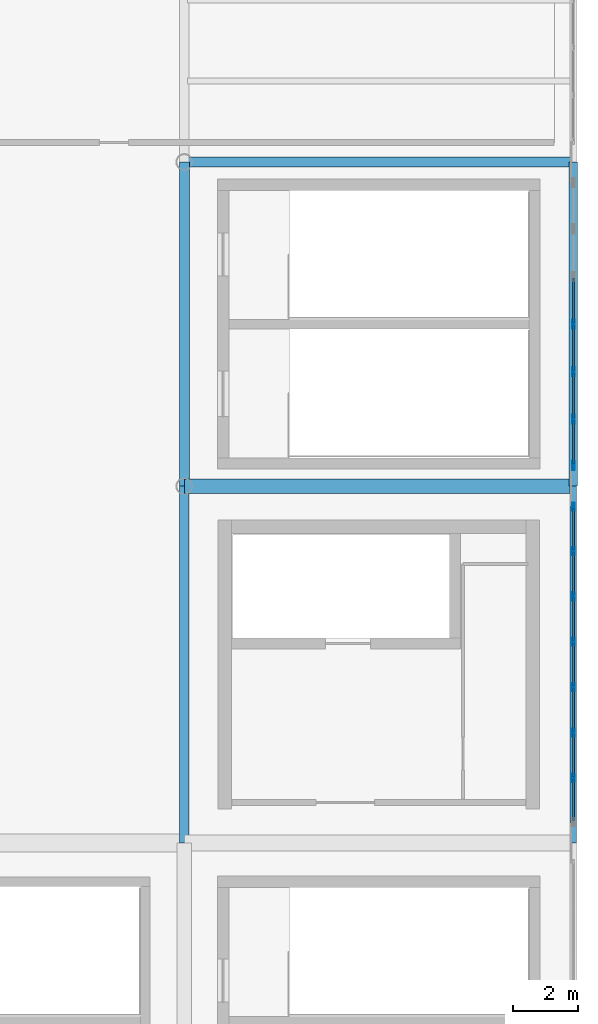
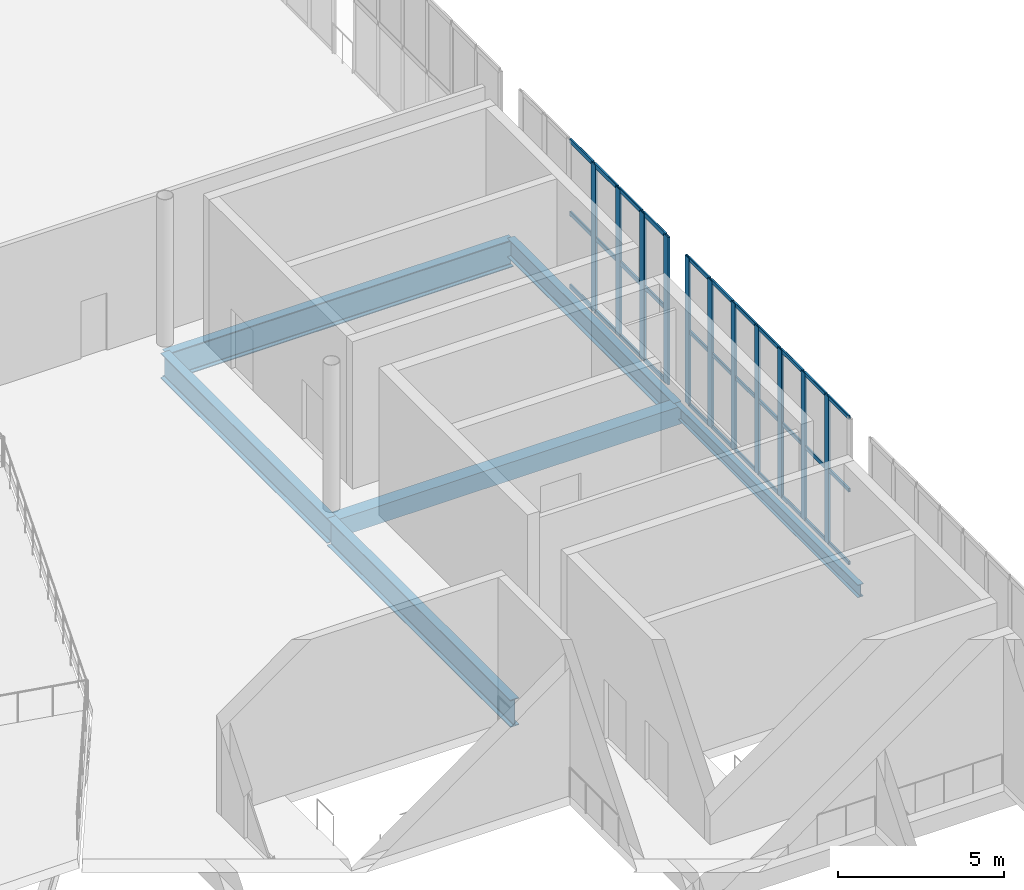
# One storey, part 32 of 74: 44 members, 6 beams, 2 elements without a shape of their own.
"""IFC4 building model written with IfcOpenShell, lengths in metres."""

from ifc_helpers import new_model, si_unit, direction, frame, origin, origin_2d, place, context, subcontext, project, spatial, rectangle, hollow_rectangle, i_section, extrude, material, layer, layer_set, material_profile, profile_set, type_object, element, aggregate, save


model = new_model("IFC4")

# Units and contexts
model_context = context("Model", 3, precision=1e-05, world=origin(), true_north=direction((0.0, 1.0)))
body_context = subcontext(model_context, "Body", "Model", "MODEL_VIEW")
ifc_project = project(units=[si_unit("LENGTHUNIT", "METRE"), si_unit("AREAUNIT", "SQUARE_METRE"), si_unit("VOLUMEUNIT", "CUBIC_METRE"), si_unit("PLANEANGLEUNIT", "RADIAN"), si_unit("MASSUNIT", "GRAM", prefix="KILO")], contexts=[model_context])

# Site, building, storey
site_placement = place(None, origin())
site = spatial("IfcSite", under=ifc_project, at=site_placement, CompositionType="ELEMENT")
building_placement = place(site_placement, origin())
building = spatial("IfcBuilding", under=site, at=building_placement, Name="Brinegate Civic Arena", CompositionType="ELEMENT")
storey_placement = place(building_placement, frame((0.0, 0.0, 19.199951171875)))
storey = spatial("IfcBuildingStorey", under=building, at=storey_placement, Name="L04", CompositionType="ELEMENT", Elevation=19.199951171875)

# Curtain wall, members
ifc_material_1 = material(Name="Marine grade aluminium", Category="aluminium")
ifc_layer = layer(ifc_material_1, 0.199951171875, Name="Marine grade aluminium")
ifc_layer_set = layer_set([ifc_layer], Name="Marine grade aluminium")
curtain_wall_type = type_object("IfcCurtainWallType", Name="CW-BOWL-GLAZED-01", PredefinedType="USERDEFINED", material=ifc_layer_set)
curtain_wall_1_placement = place(storey_placement, origin())
curtain_wall_1 = element("IfcCurtainWall", 1, at=curtain_wall_1_placement, inside=storey, type_object=curtain_wall_type, Name="Curtain Wall CWA-136", ObjectType="GLAZED CURTAIN WALL", PredefinedType="USERDEFINED")
ifc_material_profile_1 = material_profile(ifc_material_1, hollow_rectangle(XDim=0.074951171875, YDim=0.25, WallThickness=0.006103515625, InnerFilletRadius=0.00390625, OuterFilletRadius=0.008056640625, at=origin_2d()), Name="MUL75X250")
ifc_profile_set_1 = profile_set([ifc_material_profile_1], Name="Marine grade aluminium")
member_type_1 = type_object("IfcMemberType", Name="CW-MULLION-75X250", PredefinedType="MULLION", material=ifc_profile_set_1)
member_1_placement = place(storey_placement, frame((168.0, 33.0, 0.0), z_axis=(0.0, 0.0, 1.0), x_axis=(-1.0, 0.0, 0.0)))
member_1 = element("IfcMember", 2, at=member_1_placement, type_object=member_type_1, Name="CWA-136 mullion 2", PredefinedType="MULLION", context=body_context, shape_type="SweptSolid", body=[
    extrude(hollow_rectangle(XDim=0.074951171875, YDim=0.25, WallThickness=0.006103515625, InnerFilletRadius=0.00390625, OuterFilletRadius=0.008056640625, at=origin_2d()), origin(), (0.0, 0.0, 1.0), 5.400146484375),
])
member_2_placement = place(storey_placement, frame((168.0, 34.39990234375, 0.0), z_axis=(0.0, 0.0, 1.0), x_axis=(-1.0, 0.0, 0.0)))
member_2 = element("IfcMember", 3, at=member_2_placement, type_object=member_type_1, Name="CWA-136 mullion 3", PredefinedType="MULLION", context=body_context, shape_type="SweptSolid", body=[
    extrude(hollow_rectangle(XDim=0.074951171875, YDim=0.25, WallThickness=0.006103515625, InnerFilletRadius=0.00390625, OuterFilletRadius=0.008056640625, at=origin_2d()), origin(), (0.0, 0.0, 1.0), 5.400146484375),
])
member_3_placement = place(storey_placement, frame((168.0, 35.800048828125, 0.0), z_axis=(0.0, 0.0, 1.0), x_axis=(-1.0, 0.0, 0.0)))
member_3 = element("IfcMember", 4, at=member_3_placement, type_object=member_type_1, Name="CWA-136 mullion 4", PredefinedType="MULLION", context=body_context, shape_type="SweptSolid", body=[
    extrude(hollow_rectangle(XDim=0.074951171875, YDim=0.25, WallThickness=0.006103515625, InnerFilletRadius=0.00390625, OuterFilletRadius=0.008056640625, at=origin_2d()), origin(), (0.0, 0.0, 1.0), 5.400146484375),
])
member_4_placement = place(storey_placement, frame((168.0, 37.199951171875, 0.0), z_axis=(0.0, 0.0, 1.0), x_axis=(-1.0, 0.0, 0.0)))
member_4 = element("IfcMember", 5, at=member_4_placement, type_object=member_type_1, Name="CWA-136 mullion 5", PredefinedType="MULLION", context=body_context, shape_type="SweptSolid", body=[
    extrude(hollow_rectangle(XDim=0.074951171875, YDim=0.25, WallThickness=0.006103515625, InnerFilletRadius=0.00390625, OuterFilletRadius=0.008056640625, at=origin_2d()), origin(), (0.0, 0.0, 1.0), 5.400146484375),
])
member_5_placement = place(storey_placement, frame((168.0, 38.60009765625, 0.0), z_axis=(0.0, 0.0, 1.0), x_axis=(-1.0, 0.0, 0.0)))
member_5 = element("IfcMember", 6, at=member_5_placement, type_object=member_type_1, Name="CWA-136 mullion 6", PredefinedType="MULLION", context=body_context, shape_type="SweptSolid", body=[
    extrude(hollow_rectangle(XDim=0.074951171875, YDim=0.25, WallThickness=0.006103515625, InnerFilletRadius=0.00390625, OuterFilletRadius=0.008056640625, at=origin_2d()), origin(), (0.0, 0.0, 1.0), 5.400146484375),
])
member_6_placement = place(storey_placement, frame((168.0, 40.0, 0.0), z_axis=(0.0, 0.0, 1.0), x_axis=(-1.0, 0.0, 0.0)))
member_6 = element("IfcMember", 7, at=member_6_placement, type_object=member_type_1, Name="CWA-136 mullion 7", PredefinedType="MULLION", context=body_context, shape_type="SweptSolid", body=[
    extrude(hollow_rectangle(XDim=0.074951171875, YDim=0.25, WallThickness=0.006103515625, InnerFilletRadius=0.00390625, OuterFilletRadius=0.008056640625, at=origin_2d()), origin(), (0.0, 0.0, 1.0), 5.400146484375),
])
member_7_placement = place(storey_placement, frame((168.0, 41.362548828125, 0.0), z_axis=(0.0, 0.0, 1.0), x_axis=(-1.0, 0.0, 0.0)))
member_7 = element("IfcMember", 8, at=member_7_placement, type_object=member_type_1, Name="CWA-136 mullion 8", PredefinedType="MULLION", context=body_context, shape_type="SweptSolid", body=[
    extrude(hollow_rectangle(XDim=0.074951171875, YDim=0.25, WallThickness=0.006103515625, InnerFilletRadius=0.00390625, OuterFilletRadius=0.008056640625, at=origin_2d()), origin(), (0.0, 0.0, 1.0), 5.400146484375),
])

curtain_wall_2_placement = place(storey_placement, origin())
curtain_wall_2 = element("IfcCurtainWall", 9, at=curtain_wall_2_placement, inside=storey, type_object=curtain_wall_type, Name="Curtain Wall CWA-137", ObjectType="GLAZED CURTAIN WALL", PredefinedType="USERDEFINED")
ifc_material_profile_2 = material_profile(ifc_material_1, hollow_rectangle(XDim=0.080078125, YDim=0.280029296875, WallThickness=0.007080078125, InnerFilletRadius=0.0048828125, OuterFilletRadius=0.010009765625, at=origin_2d()), Name="MUL80X280")
ifc_profile_set_2 = profile_set([ifc_material_profile_2], Name="Marine grade aluminium")
member_type_2 = type_object("IfcMemberType", Name="CW-MULLION-80X280", PredefinedType="MULLION", material=ifc_profile_set_2)
member_8_placement = place(storey_placement, frame((168.0, 42.639892578125, 0.0), z_axis=(0.0, 0.0, 1.0), x_axis=(-1.0, 0.0, 0.0)))
member_8 = element("IfcMember", 10, at=member_8_placement, type_object=member_type_2, Name="CWA-137 mullion 1", PredefinedType="MULLION", context=body_context, shape_type="SweptSolid", body=[
    extrude(hollow_rectangle(XDim=0.080078125, YDim=0.280029296875, WallThickness=0.007080078125, InnerFilletRadius=0.0048828125, OuterFilletRadius=0.010009765625, at=origin_2d()), origin(), (0.0, 0.0, 1.0), 5.400146484375),
])
member_9_placement = place(storey_placement, frame((168.0, 44.066650390625, 0.0), z_axis=(0.0, 0.0, 1.0), x_axis=(-1.0, 0.0, 0.0)))
member_9 = element("IfcMember", 11, at=member_9_placement, type_object=member_type_2, Name="CWA-137 mullion 2", PredefinedType="MULLION", context=body_context, shape_type="SweptSolid", body=[
    extrude(hollow_rectangle(XDim=0.080078125, YDim=0.280029296875, WallThickness=0.007080078125, InnerFilletRadius=0.0048828125, OuterFilletRadius=0.010009765625, at=origin_2d()), origin(), (0.0, 0.0, 1.0), 5.400146484375),
])
member_10_placement = place(storey_placement, frame((168.0, 45.533447265625, 0.0), z_axis=(0.0, 0.0, 1.0), x_axis=(-1.0, 0.0, 0.0)))
member_10 = element("IfcMember", 12, at=member_10_placement, type_object=member_type_2, Name="CWA-137 mullion 3", PredefinedType="MULLION", context=body_context, shape_type="SweptSolid", body=[
    extrude(hollow_rectangle(XDim=0.080078125, YDim=0.280029296875, WallThickness=0.007080078125, InnerFilletRadius=0.0048828125, OuterFilletRadius=0.010009765625, at=origin_2d()), origin(), (0.0, 0.0, 1.0), 5.400146484375),
])
member_11_placement = place(storey_placement, frame((168.0, 47.0, 0.0), z_axis=(0.0, 0.0, 1.0), x_axis=(-1.0, 0.0, 0.0)))
member_11 = element("IfcMember", 13, at=member_11_placement, type_object=member_type_2, Name="CWA-137 mullion 4", PredefinedType="MULLION", context=body_context, shape_type="SweptSolid", body=[
    extrude(hollow_rectangle(XDim=0.080078125, YDim=0.280029296875, WallThickness=0.007080078125, InnerFilletRadius=0.0048828125, OuterFilletRadius=0.010009765625, at=origin_2d()), origin(), (0.0, 0.0, 1.0), 5.400146484375),
])

# Member
ifc_material_profile_3 = material_profile(ifc_material_1, hollow_rectangle(XDim=0.06494140625, YDim=0.139892578125, WallThickness=0.0048828125, InnerFilletRadius=0.00390625, OuterFilletRadius=0.008056640625, at=origin_2d()), Name="TRN65X140")
ifc_profile_set_3 = profile_set([ifc_material_profile_3], Name="Marine grade aluminium")
member_type_3 = type_object("IfcMemberType", Name="CW-TRANSOM-65X140", PredefinedType="USERDEFINED", material=ifc_profile_set_3)
member_12_placement = place(storey_placement, frame((168.0, 31.675048828125, 0.032470703125), z_axis=(0.0, 1.0, 0.0), x_axis=(-1.0, 0.0, 0.0)))
member_12 = element("IfcMember", 14, at=member_12_placement, type_object=member_type_3, Name="CWA-136 transom 1.1", ObjectType="TRANSOM", PredefinedType="USERDEFINED", context=body_context, shape_type="SweptSolid", body=[
    extrude(hollow_rectangle(XDim=0.06494140625, YDim=0.139892578125, WallThickness=0.0048828125, InnerFilletRadius=0.00390625, OuterFilletRadius=0.008056640625, at=origin_2d()), origin(), (0.0, 0.0, 1.0), 1.287353515625),
])

member_13_placement = place(storey_placement, frame((168.0, 31.675048828125, 2.699951171875), z_axis=(0.0, 1.0, 0.0), x_axis=(-1.0, 0.0, 0.0)))
member_13 = element("IfcMember", 15, at=member_13_placement, type_object=member_type_3, Name="CWA-136 transom 1.2", ObjectType="TRANSOM", PredefinedType="USERDEFINED", context=body_context, shape_type="SweptSolid", body=[
    extrude(hollow_rectangle(XDim=0.06494140625, YDim=0.139892578125, WallThickness=0.0048828125, InnerFilletRadius=0.00390625, OuterFilletRadius=0.008056640625, at=origin_2d()), origin(), (0.0, 0.0, 1.0), 1.287353515625),
])

member_14_placement = place(storey_placement, frame((168.0, 31.675048828125, 5.367431640625), z_axis=(0.0, 1.0, 0.0), x_axis=(-1.0, 0.0, 0.0)))
member_14 = element("IfcMember", 16, at=member_14_placement, type_object=member_type_3, Name="CWA-136 transom 1.3", ObjectType="TRANSOM", PredefinedType="USERDEFINED", context=body_context, shape_type="SweptSolid", body=[
    extrude(hollow_rectangle(XDim=0.06494140625, YDim=0.139892578125, WallThickness=0.0048828125, InnerFilletRadius=0.00390625, OuterFilletRadius=0.008056640625, at=origin_2d()), origin(), (0.0, 0.0, 1.0), 1.287353515625),
])

member_15_placement = place(storey_placement, frame((168.0, 33.03759765625, 0.032470703125), z_axis=(0.0, 1.0, 0.0), x_axis=(-1.0, 0.0, 0.0)))
member_15 = element("IfcMember", 17, at=member_15_placement, type_object=member_type_3, Name="CWA-136 transom 2.1", ObjectType="TRANSOM", PredefinedType="USERDEFINED", context=body_context, shape_type="SweptSolid", body=[
    extrude(hollow_rectangle(XDim=0.06494140625, YDim=0.139892578125, WallThickness=0.0048828125, InnerFilletRadius=0.00390625, OuterFilletRadius=0.008056640625, at=origin_2d()), origin(), (0.0, 0.0, 1.0), 1.324951171875),
])

member_16_placement = place(storey_placement, frame((168.0, 33.03759765625, 2.699951171875), z_axis=(0.0, 1.0, 0.0), x_axis=(-1.0, 0.0, 0.0)))
member_16 = element("IfcMember", 18, at=member_16_placement, type_object=member_type_3, Name="CWA-136 transom 2.2", ObjectType="TRANSOM", PredefinedType="USERDEFINED", context=body_context, shape_type="SweptSolid", body=[
    extrude(hollow_rectangle(XDim=0.06494140625, YDim=0.139892578125, WallThickness=0.0048828125, InnerFilletRadius=0.00390625, OuterFilletRadius=0.008056640625, at=origin_2d()), origin(), (0.0, 0.0, 1.0), 1.324951171875),
])

member_17_placement = place(storey_placement, frame((168.0, 33.03759765625, 5.367431640625), z_axis=(0.0, 1.0, 0.0), x_axis=(-1.0, 0.0, 0.0)))
member_17 = element("IfcMember", 19, at=member_17_placement, type_object=member_type_3, Name="CWA-136 transom 2.3", ObjectType="TRANSOM", PredefinedType="USERDEFINED", context=body_context, shape_type="SweptSolid", body=[
    extrude(hollow_rectangle(XDim=0.06494140625, YDim=0.139892578125, WallThickness=0.0048828125, InnerFilletRadius=0.00390625, OuterFilletRadius=0.008056640625, at=origin_2d()), origin(), (0.0, 0.0, 1.0), 1.324951171875),
])

member_18_placement = place(storey_placement, frame((168.0, 34.4375, 0.032470703125), z_axis=(0.0, 1.0, 0.0), x_axis=(-1.0, 0.0, 0.0)))
member_18 = element("IfcMember", 20, at=member_18_placement, type_object=member_type_3, Name="CWA-136 transom 3.1", ObjectType="TRANSOM", PredefinedType="USERDEFINED", context=body_context, shape_type="SweptSolid", body=[
    extrude(hollow_rectangle(XDim=0.06494140625, YDim=0.139892578125, WallThickness=0.0048828125, InnerFilletRadius=0.00390625, OuterFilletRadius=0.008056640625, at=origin_2d()), origin(), (0.0, 0.0, 1.0), 1.324951171875),
])

member_19_placement = place(storey_placement, frame((168.0, 34.4375, 2.699951171875), z_axis=(0.0, 1.0, 0.0), x_axis=(-1.0, 0.0, 0.0)))
member_19 = element("IfcMember", 21, at=member_19_placement, type_object=member_type_3, Name="CWA-136 transom 3.2", ObjectType="TRANSOM", PredefinedType="USERDEFINED", context=body_context, shape_type="SweptSolid", body=[
    extrude(hollow_rectangle(XDim=0.06494140625, YDim=0.139892578125, WallThickness=0.0048828125, InnerFilletRadius=0.00390625, OuterFilletRadius=0.008056640625, at=origin_2d()), origin(), (0.0, 0.0, 1.0), 1.324951171875),
])

member_20_placement = place(storey_placement, frame((168.0, 34.4375, 5.367431640625), z_axis=(0.0, 1.0, 0.0), x_axis=(-1.0, 0.0, 0.0)))
member_20 = element("IfcMember", 22, at=member_20_placement, type_object=member_type_3, Name="CWA-136 transom 3.3", ObjectType="TRANSOM", PredefinedType="USERDEFINED", context=body_context, shape_type="SweptSolid", body=[
    extrude(hollow_rectangle(XDim=0.06494140625, YDim=0.139892578125, WallThickness=0.0048828125, InnerFilletRadius=0.00390625, OuterFilletRadius=0.008056640625, at=origin_2d()), origin(), (0.0, 0.0, 1.0), 1.324951171875),
])

member_21_placement = place(storey_placement, frame((168.0, 35.83740234375, 0.032470703125), z_axis=(0.0, 1.0, 0.0), x_axis=(-1.0, 0.0, 0.0)))
member_21 = element("IfcMember", 23, at=member_21_placement, type_object=member_type_3, Name="CWA-136 transom 4.1", ObjectType="TRANSOM", PredefinedType="USERDEFINED", context=body_context, shape_type="SweptSolid", body=[
    extrude(hollow_rectangle(XDim=0.06494140625, YDim=0.139892578125, WallThickness=0.0048828125, InnerFilletRadius=0.00390625, OuterFilletRadius=0.008056640625, at=origin_2d()), origin(), (0.0, 0.0, 1.0), 1.3251953125),
])

member_22_placement = place(storey_placement, frame((168.0, 35.83740234375, 2.699951171875), z_axis=(0.0, 1.0, 0.0), x_axis=(-1.0, 0.0, 0.0)))
member_22 = element("IfcMember", 24, at=member_22_placement, type_object=member_type_3, Name="CWA-136 transom 4.2", ObjectType="TRANSOM", PredefinedType="USERDEFINED", context=body_context, shape_type="SweptSolid", body=[
    extrude(hollow_rectangle(XDim=0.06494140625, YDim=0.139892578125, WallThickness=0.0048828125, InnerFilletRadius=0.00390625, OuterFilletRadius=0.008056640625, at=origin_2d()), origin(), (0.0, 0.0, 1.0), 1.3251953125),
])

member_23_placement = place(storey_placement, frame((168.0, 35.83740234375, 5.367431640625), z_axis=(0.0, 1.0, 0.0), x_axis=(-1.0, 0.0, 0.0)))
member_23 = element("IfcMember", 25, at=member_23_placement, type_object=member_type_3, Name="CWA-136 transom 4.3", ObjectType="TRANSOM", PredefinedType="USERDEFINED", context=body_context, shape_type="SweptSolid", body=[
    extrude(hollow_rectangle(XDim=0.06494140625, YDim=0.139892578125, WallThickness=0.0048828125, InnerFilletRadius=0.00390625, OuterFilletRadius=0.008056640625, at=origin_2d()), origin(), (0.0, 0.0, 1.0), 1.3251953125),
])

member_24_placement = place(storey_placement, frame((168.0, 37.237548828125, 0.032470703125), z_axis=(0.0, 1.0, 0.0), x_axis=(-1.0, 0.0, 0.0)))
member_24 = element("IfcMember", 26, at=member_24_placement, type_object=member_type_3, Name="CWA-136 transom 5.1", ObjectType="TRANSOM", PredefinedType="USERDEFINED", context=body_context, shape_type="SweptSolid", body=[
    extrude(hollow_rectangle(XDim=0.06494140625, YDim=0.139892578125, WallThickness=0.0048828125, InnerFilletRadius=0.00390625, OuterFilletRadius=0.008056640625, at=origin_2d()), origin(), (0.0, 0.0, 1.0), 1.324951171875),
])

member_25_placement = place(storey_placement, frame((168.0, 37.237548828125, 2.699951171875), z_axis=(0.0, 1.0, 0.0), x_axis=(-1.0, 0.0, 0.0)))
member_25 = element("IfcMember", 27, at=member_25_placement, type_object=member_type_3, Name="CWA-136 transom 5.2", ObjectType="TRANSOM", PredefinedType="USERDEFINED", context=body_context, shape_type="SweptSolid", body=[
    extrude(hollow_rectangle(XDim=0.06494140625, YDim=0.139892578125, WallThickness=0.0048828125, InnerFilletRadius=0.00390625, OuterFilletRadius=0.008056640625, at=origin_2d()), origin(), (0.0, 0.0, 1.0), 1.324951171875),
])

member_26_placement = place(storey_placement, frame((168.0, 37.237548828125, 5.367431640625), z_axis=(0.0, 1.0, 0.0), x_axis=(-1.0, 0.0, 0.0)))
member_26 = element("IfcMember", 28, at=member_26_placement, type_object=member_type_3, Name="CWA-136 transom 5.3", ObjectType="TRANSOM", PredefinedType="USERDEFINED", context=body_context, shape_type="SweptSolid", body=[
    extrude(hollow_rectangle(XDim=0.06494140625, YDim=0.139892578125, WallThickness=0.0048828125, InnerFilletRadius=0.00390625, OuterFilletRadius=0.008056640625, at=origin_2d()), origin(), (0.0, 0.0, 1.0), 1.324951171875),
])

member_27_placement = place(storey_placement, frame((168.0, 38.637451171875, 0.032470703125), z_axis=(0.0, 1.0, 0.0), x_axis=(-1.0, 0.0, 0.0)))
member_27 = element("IfcMember", 29, at=member_27_placement, type_object=member_type_3, Name="CWA-136 transom 6.1", ObjectType="TRANSOM", PredefinedType="USERDEFINED", context=body_context, shape_type="SweptSolid", body=[
    extrude(hollow_rectangle(XDim=0.06494140625, YDim=0.139892578125, WallThickness=0.0048828125, InnerFilletRadius=0.00390625, OuterFilletRadius=0.008056640625, at=origin_2d()), origin(), (0.0, 0.0, 1.0), 1.324951171875),
])

member_28_placement = place(storey_placement, frame((168.0, 38.637451171875, 2.699951171875), z_axis=(0.0, 1.0, 0.0), x_axis=(-1.0, 0.0, 0.0)))
member_28 = element("IfcMember", 30, at=member_28_placement, type_object=member_type_3, Name="CWA-136 transom 6.2", ObjectType="TRANSOM", PredefinedType="USERDEFINED", context=body_context, shape_type="SweptSolid", body=[
    extrude(hollow_rectangle(XDim=0.06494140625, YDim=0.139892578125, WallThickness=0.0048828125, InnerFilletRadius=0.00390625, OuterFilletRadius=0.008056640625, at=origin_2d()), origin(), (0.0, 0.0, 1.0), 1.324951171875),
])

member_29_placement = place(storey_placement, frame((168.0, 38.637451171875, 5.367431640625), z_axis=(0.0, 1.0, 0.0), x_axis=(-1.0, 0.0, 0.0)))
member_29 = element("IfcMember", 31, at=member_29_placement, type_object=member_type_3, Name="CWA-136 transom 6.3", ObjectType="TRANSOM", PredefinedType="USERDEFINED", context=body_context, shape_type="SweptSolid", body=[
    extrude(hollow_rectangle(XDim=0.06494140625, YDim=0.139892578125, WallThickness=0.0048828125, InnerFilletRadius=0.00390625, OuterFilletRadius=0.008056640625, at=origin_2d()), origin(), (0.0, 0.0, 1.0), 1.324951171875),
])

member_30_placement = place(storey_placement, frame((168.0, 40.03759765625, 0.032470703125), z_axis=(0.0, 1.0, 0.0), x_axis=(-1.0, 0.0, 0.0)))
member_30 = element("IfcMember", 32, at=member_30_placement, type_object=member_type_3, Name="CWA-136 transom 7.1", ObjectType="TRANSOM", PredefinedType="USERDEFINED", context=body_context, shape_type="SweptSolid", body=[
    extrude(hollow_rectangle(XDim=0.06494140625, YDim=0.139892578125, WallThickness=0.0048828125, InnerFilletRadius=0.00390625, OuterFilletRadius=0.008056640625, at=origin_2d()), origin(), (0.0, 0.0, 1.0), 1.287353515625),
])

member_31_placement = place(storey_placement, frame((168.0, 40.03759765625, 2.699951171875), z_axis=(0.0, 1.0, 0.0), x_axis=(-1.0, 0.0, 0.0)))
member_31 = element("IfcMember", 33, at=member_31_placement, type_object=member_type_3, Name="CWA-136 transom 7.2", ObjectType="TRANSOM", PredefinedType="USERDEFINED", context=body_context, shape_type="SweptSolid", body=[
    extrude(hollow_rectangle(XDim=0.06494140625, YDim=0.139892578125, WallThickness=0.0048828125, InnerFilletRadius=0.00390625, OuterFilletRadius=0.008056640625, at=origin_2d()), origin(), (0.0, 0.0, 1.0), 1.287353515625),
])

member_32_placement = place(storey_placement, frame((168.0, 40.03759765625, 5.367431640625), z_axis=(0.0, 1.0, 0.0), x_axis=(-1.0, 0.0, 0.0)))
member_32 = element("IfcMember", 34, at=member_32_placement, type_object=member_type_3, Name="CWA-136 transom 7.3", ObjectType="TRANSOM", PredefinedType="USERDEFINED", context=body_context, shape_type="SweptSolid", body=[
    extrude(hollow_rectangle(XDim=0.06494140625, YDim=0.139892578125, WallThickness=0.0048828125, InnerFilletRadius=0.00390625, OuterFilletRadius=0.008056640625, at=origin_2d()), origin(), (0.0, 0.0, 1.0), 1.287353515625),
])

aggregate(curtain_wall_1, [member_1, member_2, member_3, member_4, member_5, member_6, member_7, member_12, member_13, member_14, member_15, member_16, member_17, member_18, member_19, member_20, member_21, member_22, member_23, member_24, member_25, member_26, member_27, member_28, member_29, member_30, member_31, member_32])

ifc_material_profile_4 = material_profile(ifc_material_1, hollow_rectangle(XDim=0.06494140625, YDim=0.1650390625, WallThickness=0.0048828125, InnerFilletRadius=0.00390625, OuterFilletRadius=0.008056640625, at=origin_2d()), Name="TRN65X165")
ifc_profile_set_4 = profile_set([ifc_material_profile_4], Name="Marine grade aluminium")
member_type_4 = type_object("IfcMemberType", Name="CW-TRANSOM-65X165", PredefinedType="USERDEFINED", material=ifc_profile_set_4)
member_33_placement = place(storey_placement, frame((168.0, 42.679931640625, 0.032470703125), z_axis=(0.0, 1.0, 0.0), x_axis=(-1.0, 0.0, 0.0)))
member_33 = element("IfcMember", 35, at=member_33_placement, type_object=member_type_4, Name="CWA-137 transom 1.1", ObjectType="TRANSOM", PredefinedType="USERDEFINED", context=body_context, shape_type="SweptSolid", body=[
    extrude(hollow_rectangle(XDim=0.06494140625, YDim=0.1650390625, WallThickness=0.0048828125, InnerFilletRadius=0.00390625, OuterFilletRadius=0.008056640625, at=origin_2d()), origin(), (0.0, 0.0, 1.0), 1.3466796875),
])

member_34_placement = place(storey_placement, frame((168.0, 42.679931640625, 2.699951171875), z_axis=(0.0, 1.0, 0.0), x_axis=(-1.0, 0.0, 0.0)))
member_34 = element("IfcMember", 36, at=member_34_placement, type_object=member_type_4, Name="CWA-137 transom 1.2", ObjectType="TRANSOM", PredefinedType="USERDEFINED", context=body_context, shape_type="SweptSolid", body=[
    extrude(hollow_rectangle(XDim=0.06494140625, YDim=0.1650390625, WallThickness=0.0048828125, InnerFilletRadius=0.00390625, OuterFilletRadius=0.008056640625, at=origin_2d()), origin(), (0.0, 0.0, 1.0), 1.3466796875),
])

member_35_placement = place(storey_placement, frame((168.0, 42.679931640625, 5.367431640625), z_axis=(0.0, 1.0, 0.0), x_axis=(-1.0, 0.0, 0.0)))
member_35 = element("IfcMember", 37, at=member_35_placement, type_object=member_type_4, Name="CWA-137 transom 1.3", ObjectType="TRANSOM", PredefinedType="USERDEFINED", context=body_context, shape_type="SweptSolid", body=[
    extrude(hollow_rectangle(XDim=0.06494140625, YDim=0.1650390625, WallThickness=0.0048828125, InnerFilletRadius=0.00390625, OuterFilletRadius=0.008056640625, at=origin_2d()), origin(), (0.0, 0.0, 1.0), 1.3466796875),
])

member_36_placement = place(storey_placement, frame((168.0, 44.106689453125, 0.032470703125), z_axis=(0.0, 1.0, 0.0), x_axis=(-1.0, 0.0, 0.0)))
member_36 = element("IfcMember", 38, at=member_36_placement, type_object=member_type_4, Name="CWA-137 transom 2.1", ObjectType="TRANSOM", PredefinedType="USERDEFINED", context=body_context, shape_type="SweptSolid", body=[
    extrude(hollow_rectangle(XDim=0.06494140625, YDim=0.1650390625, WallThickness=0.0048828125, InnerFilletRadius=0.00390625, OuterFilletRadius=0.008056640625, at=origin_2d()), origin(), (0.0, 0.0, 1.0), 1.38671875),
])

member_37_placement = place(storey_placement, frame((168.0, 44.106689453125, 2.699951171875), z_axis=(0.0, 1.0, 0.0), x_axis=(-1.0, 0.0, 0.0)))
member_37 = element("IfcMember", 39, at=member_37_placement, type_object=member_type_4, Name="CWA-137 transom 2.2", ObjectType="TRANSOM", PredefinedType="USERDEFINED", context=body_context, shape_type="SweptSolid", body=[
    extrude(hollow_rectangle(XDim=0.06494140625, YDim=0.1650390625, WallThickness=0.0048828125, InnerFilletRadius=0.00390625, OuterFilletRadius=0.008056640625, at=origin_2d()), origin(), (0.0, 0.0, 1.0), 1.38671875),
])

member_38_placement = place(storey_placement, frame((168.0, 44.106689453125, 5.367431640625), z_axis=(0.0, 1.0, 0.0), x_axis=(-1.0, 0.0, 0.0)))
member_38 = element("IfcMember", 40, at=member_38_placement, type_object=member_type_4, Name="CWA-137 transom 2.3", ObjectType="TRANSOM", PredefinedType="USERDEFINED", context=body_context, shape_type="SweptSolid", body=[
    extrude(hollow_rectangle(XDim=0.06494140625, YDim=0.1650390625, WallThickness=0.0048828125, InnerFilletRadius=0.00390625, OuterFilletRadius=0.008056640625, at=origin_2d()), origin(), (0.0, 0.0, 1.0), 1.38671875),
])

member_39_placement = place(storey_placement, frame((168.0, 45.5732421875, 0.032470703125), z_axis=(0.0, 1.0, 0.0), x_axis=(-1.0, 0.0, 0.0)))
member_39 = element("IfcMember", 41, at=member_39_placement, type_object=member_type_4, Name="CWA-137 transom 3.1", ObjectType="TRANSOM", PredefinedType="USERDEFINED", context=body_context, shape_type="SweptSolid", body=[
    extrude(hollow_rectangle(XDim=0.06494140625, YDim=0.1650390625, WallThickness=0.0048828125, InnerFilletRadius=0.00390625, OuterFilletRadius=0.008056640625, at=origin_2d()), origin(), (0.0, 0.0, 1.0), 1.38671875),
])

member_40_placement = place(storey_placement, frame((168.0, 45.5732421875, 2.699951171875), z_axis=(0.0, 1.0, 0.0), x_axis=(-1.0, 0.0, 0.0)))
member_40 = element("IfcMember", 42, at=member_40_placement, type_object=member_type_4, Name="CWA-137 transom 3.2", ObjectType="TRANSOM", PredefinedType="USERDEFINED", context=body_context, shape_type="SweptSolid", body=[
    extrude(hollow_rectangle(XDim=0.06494140625, YDim=0.1650390625, WallThickness=0.0048828125, InnerFilletRadius=0.00390625, OuterFilletRadius=0.008056640625, at=origin_2d()), origin(), (0.0, 0.0, 1.0), 1.38671875),
])

member_41_placement = place(storey_placement, frame((168.0, 45.5732421875, 5.367431640625), z_axis=(0.0, 1.0, 0.0), x_axis=(-1.0, 0.0, 0.0)))
member_41 = element("IfcMember", 43, at=member_41_placement, type_object=member_type_4, Name="CWA-137 transom 3.3", ObjectType="TRANSOM", PredefinedType="USERDEFINED", context=body_context, shape_type="SweptSolid", body=[
    extrude(hollow_rectangle(XDim=0.06494140625, YDim=0.1650390625, WallThickness=0.0048828125, InnerFilletRadius=0.00390625, OuterFilletRadius=0.008056640625, at=origin_2d()), origin(), (0.0, 0.0, 1.0), 1.38671875),
])

member_42_placement = place(storey_placement, frame((168.0, 47.0400390625, 0.032470703125), z_axis=(0.0, 1.0, 0.0), x_axis=(-1.0, 0.0, 0.0)))
member_42 = element("IfcMember", 44, at=member_42_placement, type_object=member_type_4, Name="CWA-137 transom 4.1", ObjectType="TRANSOM", PredefinedType="USERDEFINED", context=body_context, shape_type="SweptSolid", body=[
    extrude(hollow_rectangle(XDim=0.06494140625, YDim=0.1650390625, WallThickness=0.0048828125, InnerFilletRadius=0.00390625, OuterFilletRadius=0.008056640625, at=origin_2d()), origin(), (0.0, 0.0, 1.0), 1.38671875),
])

member_43_placement = place(storey_placement, frame((168.0, 47.0400390625, 2.699951171875), z_axis=(0.0, 1.0, 0.0), x_axis=(-1.0, 0.0, 0.0)))
member_43 = element("IfcMember", 45, at=member_43_placement, type_object=member_type_4, Name="CWA-137 transom 4.2", ObjectType="TRANSOM", PredefinedType="USERDEFINED", context=body_context, shape_type="SweptSolid", body=[
    extrude(hollow_rectangle(XDim=0.06494140625, YDim=0.1650390625, WallThickness=0.0048828125, InnerFilletRadius=0.00390625, OuterFilletRadius=0.008056640625, at=origin_2d()), origin(), (0.0, 0.0, 1.0), 1.38671875),
])

member_44_placement = place(storey_placement, frame((168.0, 47.0400390625, 5.367431640625), z_axis=(0.0, 1.0, 0.0), x_axis=(-1.0, 0.0, 0.0)))
member_44 = element("IfcMember", 46, at=member_44_placement, type_object=member_type_4, Name="CWA-137 transom 4.3", ObjectType="TRANSOM", PredefinedType="USERDEFINED", context=body_context, shape_type="SweptSolid", body=[
    extrude(hollow_rectangle(XDim=0.06494140625, YDim=0.1650390625, WallThickness=0.0048828125, InnerFilletRadius=0.00390625, OuterFilletRadius=0.008056640625, at=origin_2d()), origin(), (0.0, 0.0, 1.0), 1.38671875),
])

aggregate(curtain_wall_2, [member_8, member_9, member_10, member_11, member_33, member_34, member_35, member_36, member_37, member_38, member_39, member_40, member_41, member_42, member_43, member_44])

# Beams
ifc_material_2 = material(Name="Steel S355", Category="steel")
ifc_material_profile_5 = material_profile(ifc_material_2, i_section(OverallWidth=0.300048828125, OverallDepth=1.0, WebThickness=0.01904296875, FlangeThickness=0.031982421875, FilletRadius=0.02392578125, at=origin_2d()), Name="W1000X321")
ifc_profile_set_5 = profile_set([ifc_material_profile_5], Name="Steel S355")
beam_type_1 = type_object("IfcBeamType", Name="GIRDER-W1000X321", PredefinedType="BEAM", material=ifc_profile_set_5)
beam_1_placement = place(storey_placement, frame((156.0, 52.0, -0.83984375), z_axis=(1.0, 0.0, 0.0), x_axis=(0.0, 1.0, 0.0)))
element("IfcBeam", 47, at=beam_1_placement, inside=storey, type_object=beam_type_1, Name="Floor Girder BM-L04-GX-13-05", PredefinedType="BEAM", context=body_context, shape_type="SweptSolid", body=[
    extrude(i_section(OverallWidth=0.300048828125, OverallDepth=1.0, WebThickness=0.01904296875, FlangeThickness=0.031982421875, FilletRadius=0.02392578125, at=origin_2d()), origin(), (0.0, 0.0, 1.0), 12.0),
])
beam_2_placement = place(storey_placement, frame((156.0, 31.0, -0.83984375), z_axis=(0.0, 1.0, 0.0), x_axis=(-1.0, 0.0, 0.0)))
element("IfcBeam", 48, at=beam_2_placement, inside=storey, type_object=beam_type_1, Name="Floor Girder BM-L04-GY-13-03", PredefinedType="BEAM", context=body_context, shape_type="SweptSolid", body=[
    extrude(i_section(OverallWidth=0.300048828125, OverallDepth=1.0, WebThickness=0.01904296875, FlangeThickness=0.031982421875, FilletRadius=0.02392578125, at=origin_2d()), origin(), (0.0, 0.0, 1.0), 11.0),
])
ifc_material_profile_6 = material_profile(ifc_material_2, i_section(OverallWidth=0.30810546875, OverallDepth=0.927001953125, WebThickness=0.01904296875, FlangeThickness=0.031982421875, FilletRadius=0.02392578125, at=origin_2d()), Name="W920X289")
ifc_profile_set_6 = profile_set([ifc_material_profile_6], Name="Steel S355")
beam_type_2 = type_object("IfcBeamType", Name="GIRDER-W920X289", PredefinedType="BEAM", material=ifc_profile_set_6)
beam_3_placement = place(storey_placement, frame((156.0, 42.0, -0.802978515625), z_axis=(0.0, 1.0, 0.0), x_axis=(-1.0, 0.0, 0.0)))
element("IfcBeam", 49, at=beam_3_placement, inside=storey, type_object=beam_type_2, Name="Floor Girder BM-L04-GY-13-04", PredefinedType="BEAM", context=body_context, shape_type="SweptSolid", body=[
    extrude(i_section(OverallWidth=0.30810546875, OverallDepth=0.927001953125, WebThickness=0.01904296875, FlangeThickness=0.031982421875, FilletRadius=0.02392578125, at=origin_2d()), origin(), (0.0, 0.0, 1.0), 10.0),
])
ifc_material_3 = material(Name="Concrete C50/60", Category="concrete")
ifc_material_profile_7 = material_profile(ifc_material_3, rectangle(XDim=0.449951171875, YDim=0.64990234375, at=origin_2d()), Name="RCB450X650")
ifc_profile_set_7 = profile_set([ifc_material_profile_7], Name="Concrete C50/60")
beam_type_3 = type_object("IfcBeamType", Name="RCG-450X650", PredefinedType="BEAM", material=ifc_profile_set_7)
beam_4_placement = place(storey_placement, frame((156.0, 42.0, -0.6650390625), z_axis=(1.0, 0.0, 0.0), x_axis=(0.0, 1.0, 0.0)))
element("IfcBeam", 50, at=beam_4_placement, inside=storey, type_object=beam_type_3, Name="Floor Girder BM-L04-GX-13-04", PredefinedType="BEAM", context=body_context, shape_type="SweptSolid", body=[
    extrude(rectangle(XDim=0.449951171875, YDim=0.64990234375, at=origin_2d()), origin(), (0.0, 0.0, 1.0), 12.0),
])
ifc_material_profile_8 = material_profile(ifc_material_2, i_section(OverallWidth=0.193115234375, OverallDepth=0.466064453125, WebThickness=0.010986328125, FlangeThickness=0.01904296875, FilletRadius=0.014892578125, at=origin_2d()), Name="W460X97")
ifc_profile_set_8 = profile_set([ifc_material_profile_8], Name="Steel S355")
beam_type_4 = type_object("IfcBeamType", Name="SPANDREL-W460X97", PredefinedType="SPANDREL", material=ifc_profile_set_8)
beam_5_placement = place(storey_placement, frame((168.0, 31.0, -0.572998046875), z_axis=(0.0, 1.0, 0.0), x_axis=(-1.0, 0.0, 0.0)))
element("IfcBeam", 51, at=beam_5_placement, inside=storey, type_object=beam_type_4, Name="Floor Girder BM-L04-GY-14-03", PredefinedType="SPANDREL", context=body_context, shape_type="SweptSolid", body=[
    extrude(i_section(OverallWidth=0.193115234375, OverallDepth=0.466064453125, WebThickness=0.010986328125, FlangeThickness=0.01904296875, FilletRadius=0.014892578125, at=origin_2d()), origin(), (0.0, 0.0, 1.0), 11.0),
])
ifc_material_profile_9 = material_profile(ifc_material_2, i_section(OverallWidth=0.256103515625, OverallDepth=0.693115234375, WebThickness=0.014892578125, FlangeThickness=0.02392578125, FilletRadius=0.01806640625, at=origin_2d()), Name="W690X170")
ifc_profile_set_9 = profile_set([ifc_material_profile_9], Name="Steel S355")
beam_type_5 = type_object("IfcBeamType", Name="SPANDREL-W690X170", PredefinedType="SPANDREL", material=ifc_profile_set_9)
beam_6_placement = place(storey_placement, frame((168.0, 42.0, -0.68603515625), z_axis=(0.0, 1.0, 0.0), x_axis=(-1.0, 0.0, 0.0)))
element("IfcBeam", 52, at=beam_6_placement, inside=storey, type_object=beam_type_5, Name="Floor Girder BM-L04-GY-14-04", PredefinedType="SPANDREL", context=body_context, shape_type="SweptSolid", body=[
    extrude(i_section(OverallWidth=0.256103515625, OverallDepth=0.693115234375, WebThickness=0.014892578125, FlangeThickness=0.02392578125, FilletRadius=0.01806640625, at=origin_2d()), origin(), (0.0, 0.0, 1.0), 10.0),
])

save(model, "model.ifc")
